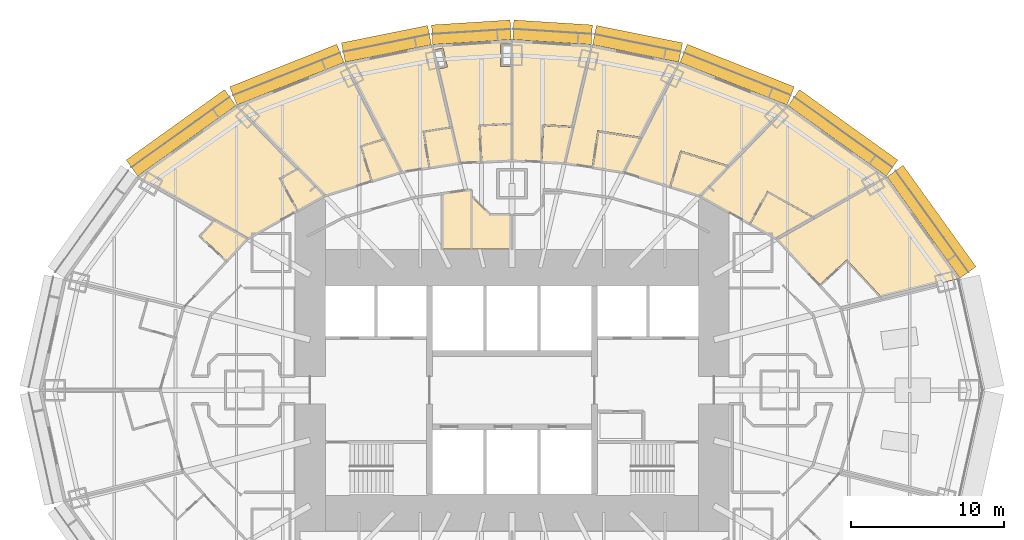
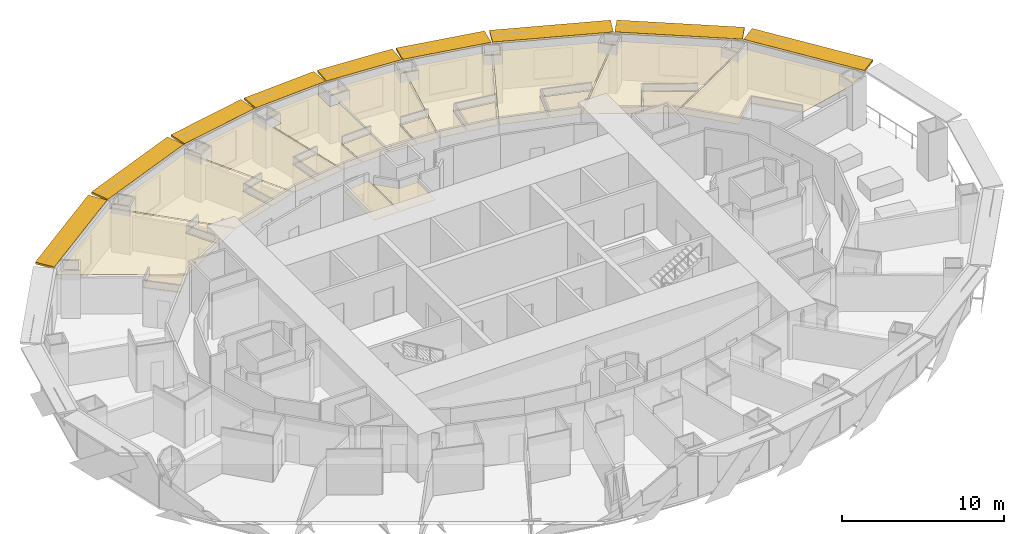
# One storey, part 17 of 17: 20 coverings, 9 shading devices.
"""IFC4 building model written with IfcOpenShell, lengths in metres."""

import ifcopenshell
import ifcopenshell.guid

model = None  # the IFC model being written
_history = None  # IfcOwnerHistory: only IFC2X3 demands one
_inside = {}  # id of a spatial element -> (the spatial element, [elements in it])
_under = {}  # id of a project, library or spatial element -> (it, [spatial elements below it])
_declared = {}  # id of a project -> (the project, [libraries it declares])
_typed = {}  # id of a type object -> (the type object, [elements of that type])
_made_of = {}  # id of a material, layer set ... -> (it, [elements and type objects made of it])


def new_model(schema):
    """Start an empty IFC model of exactly this schema.

    Asked for "IFC4X3", IfcOpenShell would pick the latest addendum, in which some entities
    have other attributes; the version numbers below select the first issue.
    IFC2X3 requires an IfcOwnerHistory on every rooted entity: one is made here for all.
    """
    global model, _history
    if schema == "IFC4X3":
        model = ifcopenshell.file(schema_version=(4, 3, 0, 0))
    else:
        model = ifcopenshell.file(schema=schema)
    _inside.clear()
    _under.clear()
    _declared.clear()
    _typed.clear()
    _made_of.clear()
    _history = None
    if model.schema == "IFC2X3":
        org = make("IfcOrganization", Name="unknown")
        user = make(
            "IfcPersonAndOrganization",
            ThePerson=make("IfcPerson", FamilyName="unknown"),
            TheOrganization=org,
        )
        app = make(
            "IfcApplication",
            ApplicationDeveloper=org,
            Version="unknown",
            ApplicationFullName="unknown",
            ApplicationIdentifier="unknown",
        )
        _history = make(
            "IfcOwnerHistory",
            OwningUser=user,
            OwningApplication=app,
            ChangeAction="ADDED",
            CreationDate=0,
        )
    return model


def make(cls, **values):
    """One entity of the class cls with the attributes given. An attribute that is None is left unset."""
    return model.create_entity(
        cls, **{name: value for name, value in values.items() if value is not None}
    )


def rooted(cls, **values):
    """An entity with a GlobalId (a new one), such as an element, a storey or a relation."""
    return make(cls, GlobalId=ifcopenshell.guid.new(), OwnerHistory=_history, **values)


def si_unit(unit_type, name, prefix=None):
    """IfcSIUnit, for example si_unit("LENGTHUNIT", "METRE", prefix="MILLI")."""
    return make("IfcSIUnit", UnitType=unit_type, Prefix=prefix, Name=name)


def assignment(units):
    """IfcUnitAssignment: the units of a project."""
    return None if units is None else make("IfcUnitAssignment", Units=units)


def point(xyz):
    """IfcCartesianPoint."""
    return None if xyz is None else make("IfcCartesianPoint", Coordinates=xyz)


def direction(xyz):
    """IfcDirection."""
    return None if xyz is None else make("IfcDirection", DirectionRatios=xyz)


def frame(location, z_axis=None, x_axis=None):
    """IfcAxis2Placement3D, a coordinate frame: its origin and axes. An axis left out is left unset."""
    return make(
        "IfcAxis2Placement3D",
        Location=point(location),
        Axis=direction(z_axis),
        RefDirection=direction(x_axis),
    )


def frame_2d(location, x_axis=None):
    """IfcAxis2Placement2D, a coordinate frame in the plane: its origin and x axis."""
    return make(
        "IfcAxis2Placement2D", Location=point(location), RefDirection=direction(x_axis)
    )


def origin():
    """The frame at (0, 0, 0) with its axes left unset."""
    return frame((0.0, 0.0, 0.0))


def origin_2d():
    """The frame at (0, 0) in the plane with its x axis left unset."""
    return frame_2d((0.0, 0.0))


def place(relative_to, where):
    """IfcLocalPlacement: puts the frame where relative to a parent placement (None: the world)."""
    return make(
        "IfcLocalPlacement", PlacementRelTo=relative_to, RelativePlacement=where
    )


def context(
    kind, dimensions, precision=None, world=None, true_north=None, identifier=None
):
    """IfcGeometricRepresentationContext, for example the 3D "Model" context."""
    return make(
        "IfcGeometricRepresentationContext",
        ContextIdentifier=identifier,
        ContextType=kind,
        CoordinateSpaceDimension=dimensions,
        Precision=precision,
        WorldCoordinateSystem=world,
        TrueNorth=true_north,
    )


def subcontext(parent, identifier, kind, view, scale=None):
    """IfcGeometricRepresentationSubContext, for example "Body" below "Model"."""
    return make(
        "IfcGeometricRepresentationSubContext",
        ContextIdentifier=identifier,
        ContextType=kind,
        ParentContext=parent,
        TargetScale=scale,
        TargetView=view,
    )


def project(units=None, contexts=None):
    """IfcProject with its units and contexts."""
    return rooted(
        "IfcProject",
        Name="project",
        RepresentationContexts=contexts,
        UnitsInContext=assignment(units),
    )


def spatial(cls, under=None, at=None, **own):
    """A site, building, storey or space (cls), placed at a placement, below another one or the project."""
    s = rooted(cls, ObjectPlacement=at, **own)
    if under is not None:
        _under.setdefault(under.id(), (under, []))[1].append(s)
    return s


def polyline(points):
    """IfcPolyline through the points."""
    return make("IfcPolyline", Points=[point(p) for p in points])


def profile(cls, at=None, kind="AREA", **sizes):
    """A parametric profile (cls). Its sizes go by their IFC names, for example OverallWidth=200.0."""
    return make(cls, ProfileType=kind, Position=at, **sizes)


def rectangle(**sizes):
    """IfcRectangleProfileDef."""
    return profile("IfcRectangleProfileDef", **sizes)


def outline(outer, holes=None, kind="AREA"):
    """IfcArbitraryClosedProfileDef: a profile drawn as a closed curve; with holes, ...WithVoids."""
    if holes is None:
        return make("IfcArbitraryClosedProfileDef", ProfileType=kind, OuterCurve=outer)
    return make(
        "IfcArbitraryProfileDefWithVoids",
        ProfileType=kind,
        OuterCurve=outer,
        InnerCurves=holes,
    )


def extrude(swept, where, along, depth):
    """IfcExtrudedAreaSolid: the profile swept, set in the frame where, extruded along a direction by depth."""
    return make(
        "IfcExtrudedAreaSolid",
        SweptArea=swept,
        Position=where,
        ExtrudedDirection=direction(along),
        Depth=depth,
    )


def shape(context_of_items, identifier, shape_type, items):
    """IfcShapeRepresentation: the items that make up one representation, for example the "Body"."""
    return make(
        "IfcShapeRepresentation",
        ContextOfItems=context_of_items,
        RepresentationIdentifier=identifier,
        RepresentationType=shape_type,
        Items=items,
    )


def material(Name=None, Category=None):
    """IfcMaterial."""
    return make("IfcMaterial", Name=Name, Category=Category)


def layer(
    of_material, thickness, ventilated=None, Name=None, Category=None, Priority=None
):
    """IfcMaterialLayer: one layer of a wall or slab, of a material (None: an air gap)."""
    return make(
        "IfcMaterialLayer",
        Material=of_material,
        LayerThickness=thickness,
        IsVentilated=ventilated,
        Name=Name,
        Category=Category,
        Priority=Priority,
    )


def layer_set(layers, Name=None):
    """IfcMaterialLayerSet."""
    return make("IfcMaterialLayerSet", MaterialLayers=layers, LayerSetName=Name)


def made_of(thing, what):
    """Note that an element or type object is made of a material, layer set ...; save() writes the relation."""
    if what is not None:
        _made_of.setdefault(what.id(), (what, []))[1].append(thing)
    return thing


def type_object(cls, material=None, **own):
    """A type object (cls), such as IfcWallType, which elements share."""
    return made_of(rooted(cls, **own), material)


def element(
    cls,
    number,
    at=None,
    inside=None,
    cuts=None,
    type_object=None,
    material=None,
    context=None,
    identifier="Body",
    shape_type=None,
    held_by="IfcProductDefinitionShape",
    body=None,
    shapes=None,
    **own,
):
    """One element of the class cls, such as IfcWall. Its Tag is "e" and its number.

    at: its placement. inside: the storey or other place that contains it. cuts: it is an
    opening in that element (IfcRelVoidsElement). A single representation is given by context,
    identifier, shape_type and body (its items); several are given by shapes. held_by: the class
    of the entity that holds the representations. save() writes the other relations.
    """
    e = rooted(cls, Tag="e%d" % number, ObjectPlacement=at, **own)
    if body is not None:
        shapes = [shape(context, identifier, shape_type, body)]
    if shapes is not None:
        e.Representation = make(held_by, Representations=shapes)
    if inside is not None:
        _inside.setdefault(inside.id(), (inside, []))[1].append(e)
    if cuts is not None:
        rooted(
            "IfcRelVoidsElement", RelatingBuildingElement=cuts, RelatedOpeningElement=e
        )
    if type_object is not None:
        _typed.setdefault(type_object.id(), (type_object, []))[1].append(e)
    return made_of(e, material)


def aggregate(whole, parts):
    """IfcRelAggregates: a whole, such as a stair, and the parts it consists of."""
    return rooted("IfcRelAggregates", RelatingObject=whole, RelatedObjects=parts)


def save(model, path):
    """Write the relations noted so far, then the file.

    IfcRelAggregates (storeys below a building ...), IfcRelContainedInSpatialStructure (elements
    in a storey), IfcRelDefinesByType, IfcRelAssociatesMaterial and IfcRelDeclares: one each for
    every whole, place, type object, material and project.
    """
    for whole, parts in _under.values():
        aggregate(whole, parts)
    for where, things in _inside.values():
        rooted(
            "IfcRelContainedInSpatialStructure",
            RelatedElements=things,
            RelatingStructure=where,
        )
    for kind, things in _typed.values():
        rooted("IfcRelDefinesByType", RelatedObjects=things, RelatingType=kind)
    for what, things in _made_of.values():
        rooted("IfcRelAssociatesMaterial", RelatedObjects=things, RelatingMaterial=what)
    for by, libraries in _declared.values():
        rooted("IfcRelDeclares", RelatingContext=by, RelatedDefinitions=libraries)
    model.write(path)


model = new_model("IFC4")

# Units and contexts
model_context = context("Model", 3, precision=1e-05, world=origin(), true_north=direction((0.0, 1.0)))
body_context = subcontext(model_context, "Body", "Model", "MODEL_VIEW")
ifc_project = project(units=[si_unit("LENGTHUNIT", "METRE"), si_unit("AREAUNIT", "SQUARE_METRE"), si_unit("VOLUMEUNIT", "CUBIC_METRE"), si_unit("PLANEANGLEUNIT", "RADIAN"), si_unit("MASSUNIT", "GRAM", prefix="KILO")], contexts=[model_context])

# Site, building, storey
site_placement = place(None, origin())
site = spatial("IfcSite", under=ifc_project, at=site_placement, CompositionType="ELEMENT")
building_placement = place(site_placement, origin())
building = spatial("IfcBuilding", under=site, at=building_placement, Name="Lantaw Convention Tower", CompositionType="ELEMENT")
storey_placement = place(building_placement, frame((0.0, 0.0, 69.39990234375)))
storey = spatial("IfcBuildingStorey", under=building, at=storey_placement, Name="L15", CompositionType="ELEMENT", Elevation=69.39990234375)

# Coverings
ifc_material = material(Name="Gypsum board on steel suspension grid", Category="steel")
ifc_layer = layer(ifc_material, 0.02001953125)
ifc_layer_set = layer_set([ifc_layer], Name="Suspended ceiling")
covering_type = type_object("IfcCoveringType", Name="Suspended ceiling", PredefinedType="CEILING", material=ifc_layer_set)
covering_1_placement = place(storey_placement, frame((0.0, 0.0, 2.85009765625)))
element("IfcCovering", 1, at=covering_1_placement, inside=storey, type_object=covering_type, Name="Accessible WC ceiling", PredefinedType="CEILING", context=body_context, shape_type="SweptSolid", body=[
    extrude(outline(polyline([(-2.610107421875, 9.239990234375), (-0.114990234375, 9.239990234375), (-0.114990234375, 11.43505859375), (-1.441162109375, 11.43505859375), (-2.06494140625, 12.058837890625), (-2.06494140625, 12.071044921875), (-2.610107421875, 12.615234375), (-2.610107421875, 9.239990234375)])), origin(), (0.0, 0.0, 1.0), 0.02001953125),
])
covering_2_placement = place(storey_placement, frame((0.0, 0.0, 2.85009765625)))
element("IfcCovering", 2, at=covering_2_placement, inside=storey, type_object=covering_type, Name="Staff WC ceiling", PredefinedType="CEILING", context=body_context, shape_type="SweptSolid", body=[
    extrude(outline(polyline([(-2.68994140625, 13.040283203125), (-3.0126953125, 13.02587890625), (-4.510009765625, 12.8125), (-4.510009765625, 9.239990234375), (-2.68994140625, 9.239990234375), (-2.68994140625, 13.040283203125)])), origin(), (0.0, 0.0, 1.0), 0.02001953125),
])
covering_3_placement = place(storey_placement, frame((0.0, 0.0, 2.85009765625)))
element("IfcCovering", 3, at=covering_3_placement, inside=storey, type_object=covering_type, Name="Guest room ceiling", PredefinedType="CEILING", context=body_context, shape_type="SweptSolid", body=[
    extrude(outline(polyline([(24.423095703125, 13.8564453125), (17.36279296875, 9.875244140625), (20.120361328125, 6.890625), (21.891845703125, 8.527587890625), (24.17431640625, 6.057373046875), (29.155029296875, 7.2783203125), (24.423095703125, 13.8564453125)])), origin(), (0.0, 0.0, 1.0), 0.02001953125),
])
covering_4_placement = place(storey_placement, frame((0.0, 0.0, 2.85009765625)))
element("IfcCovering", 4, at=covering_4_placement, inside=storey, type_object=covering_type, Name="Guest bathroom ceiling", PredefinedType="CEILING", context=body_context, shape_type="SweptSolid", body=[
    extrude(outline(polyline([(17.298828125, 9.93115234375), (19.65234375, 11.276123046875), (16.734619140625, 12.900634765625), (15.60595703125, 10.87353515625), (17.298828125, 9.93115234375)])), origin(), (0.0, 0.0, 1.0), 0.02001953125),
])
covering_5_placement = place(storey_placement, frame((0.0, 0.0, 2.85009765625)))
element("IfcCovering", 5, at=covering_5_placement, inside=storey, type_object=covering_type, Name="Guest room ceiling", PredefinedType="CEILING", context=body_context, shape_type="SweptSolid", body=[
    extrude(outline(polyline([(12.322265625, 12.701904296875), (15.5361328125, 10.91259765625), (16.70361328125, 13.00927734375), (19.75, 11.313232421875), (24.3603515625, 13.912841796875), (17.97509765625, 18.4892578125), (12.322265625, 12.701904296875)])), origin(), (0.0, 0.0, 1.0), 0.02001953125),
])
covering_6_placement = place(storey_placement, frame((0.0, 0.0, 2.85009765625)))
element("IfcCovering", 6, at=covering_6_placement, inside=storey, type_object=covering_type, Name="Guest bathroom ceiling", PredefinedType="CEILING", context=body_context, shape_type="SweptSolid", body=[
    extrude(outline(polyline([(12.245361328125, 12.738037109375), (14.052001953125, 14.60888671875), (11.0791015625, 15.525146484375), (10.395751953125, 13.30810546875), (12.245361328125, 12.738037109375)])), origin(), (0.0, 0.0, 1.0), 0.02001953125),
])
covering_7_placement = place(storey_placement, frame((0.0, 0.0, 2.85009765625)))
element("IfcCovering", 7, at=covering_7_placement, inside=storey, type_object=covering_type, Name="Guest room ceiling", PredefinedType="CEILING", context=body_context, shape_type="SweptSolid", body=[
    extrude(outline(polyline([(10.930908203125, 21.294921875), (7.310302734375, 14.2587890625), (10.307861328125, 13.3349609375), (11.01806640625, 15.64013671875), (14.140380859375, 14.677978515625), (17.89990234375, 18.526611328125), (10.930908203125, 21.294921875)])), origin(), (0.0, 0.0, 1.0), 0.02001953125),
])
covering_8_placement = place(storey_placement, frame((0.0, 0.0, 2.85009765625)))
element("IfcCovering", 8, at=covering_8_placement, inside=storey, type_object=covering_type, Name="Guest bathroom ceiling", PredefinedType="CEILING", context=body_context, shape_type="SweptSolid", body=[
    extrude(outline(polyline([(7.23046875, 14.278564453125), (8.338623046875, 16.45361328125), (5.6806640625, 16.868896484375), (5.322509765625, 14.57666015625), (7.23046875, 14.278564453125)])), origin(), (0.0, 0.0, 1.0), 0.02001953125),
])
covering_9_placement = place(storey_placement, frame((0.0, 0.0, 2.85009765625)))
element("IfcCovering", 9, at=covering_9_placement, inside=storey, type_object=covering_type, Name="Guest room ceiling", PredefinedType="CEILING", context=body_context, shape_type="SweptSolid", body=[
    extrude(outline(polyline([(5.240966796875, 22.448974609375), (3.47314453125, 14.86572265625), (5.231689453125, 14.5908203125), (5.60400390625, 16.97412109375), (8.393310546875, 16.538330078125), (10.85205078125, 21.31689453125), (5.240966796875, 22.448974609375)])), origin(), (0.0, 0.0, 1.0), 0.02001953125),
])
covering_10_placement = place(storey_placement, frame((0.0, 0.0, 2.85009765625)))
element("IfcCovering", 10, at=covering_10_placement, inside=storey, type_object=covering_type, Name="Guest bathroom ceiling", PredefinedType="CEILING", context=body_context, shape_type="SweptSolid", body=[
    extrude(outline(polyline([(3.39306640625, 14.87451171875), (3.92333984375, 17.17138671875), (2.081298828125, 17.26123046875), (1.968017578125, 14.94384765625), (3.39306640625, 14.87451171875)])), origin(), (0.0, 0.0, 1.0), 0.02001953125),
])
covering_11_placement = place(storey_placement, frame((0.0, 0.0, 2.85009765625)))
element("IfcCovering", 11, at=covering_11_placement, inside=storey, type_object=covering_type, Name="Guest room ceiling", PredefinedType="CEILING", context=body_context, shape_type="SweptSolid", body=[
    extrude(outline(polyline([(0.0400390625, 22.781982421875), (0.0400390625, 15.0380859375), (1.876220703125, 14.948486328125), (1.993896484375, 17.357666015625), (3.94970703125, 17.26220703125), (5.1611328125, 22.458984375), (0.0400390625, 22.781982421875)])), origin(), (0.0, 0.0, 1.0), 0.02001953125),
])
covering_12_placement = place(storey_placement, frame((0.0, 0.0, 2.85009765625)))
element("IfcCovering", 12, at=covering_12_placement, inside=storey, type_object=covering_type, Name="Guest bathroom ceiling", PredefinedType="CEILING", context=body_context, shape_type="SweptSolid", body=[
    extrude(outline(polyline([(-0.0400390625, 15.0380859375), (-0.0400390625, 17.36083984375), (-2.07275390625, 17.26171875), (-1.959716796875, 14.9443359375), (-0.0400390625, 15.0380859375)])), origin(), (0.0, 0.0, 1.0), 0.02001953125),
])
covering_13_placement = place(storey_placement, frame((0.0, 0.0, 2.85009765625)))
element("IfcCovering", 13, at=covering_13_placement, inside=storey, type_object=covering_type, Name="Guest room ceiling", PredefinedType="CEILING", context=body_context, shape_type="SweptSolid", body=[
    extrude(outline(polyline([(-4.81640625, 20.98046875), (-3.39306640625, 14.87451171875), (-2.03955078125, 14.9404296875), (-2.156494140625, 17.337646484375), (-0.0400390625, 17.44091796875), (-0.0400390625, 21.159912109375), (-0.739990234375, 21.159912109375), (-0.739990234375, 22.639892578125), (-0.0400390625, 22.639892578125), (-0.0400390625, 22.781982421875), (-5.1611328125, 22.458984375), (-5.10693359375, 22.22705078125), (-4.506591796875, 22.365478515625), (-4.21875, 21.118408203125), (-4.81640625, 20.98046875)])), origin(), (0.0, 0.0, 1.0), 0.02001953125),
])
covering_14_placement = place(storey_placement, frame((0.0, 0.0, 2.85009765625)))
element("IfcCovering", 14, at=covering_14_placement, inside=storey, type_object=covering_type, Name="Guest bathroom ceiling", PredefinedType="CEILING", context=body_context, shape_type="SweptSolid", body=[
    extrude(outline(polyline([(-3.47314453125, 14.86572265625), (-3.996337890625, 17.132080078125), (-5.725341796875, 16.862060546875), (-5.3671875, 14.56982421875), (-3.47314453125, 14.86572265625)])), origin(), (0.0, 0.0, 1.0), 0.02001953125),
])
covering_15_placement = place(storey_placement, frame((0.0, 0.0, 2.85009765625)))
element("IfcCovering", 15, at=covering_15_placement, inside=storey, type_object=covering_type, Name="Guest room ceiling", PredefinedType="CEILING", context=body_context, shape_type="SweptSolid", body=[
    extrude(outline(polyline([(-7.23046875, 14.278564453125), (-5.446044921875, 14.557373046875), (-5.816650390625, 16.9287109375), (-4.01953125, 17.20947265625), (-5.240966796875, 22.448974609375), (-10.85205078125, 21.31689453125), (-7.23046875, 14.278564453125)])), origin(), (0.0, 0.0, 1.0), 0.02001953125),
])
covering_16_placement = place(storey_placement, frame((0.0, 0.0, 2.85009765625)))
element("IfcCovering", 16, at=covering_16_placement, inside=storey, type_object=covering_type, Name="Guest bathroom ceiling", PredefinedType="CEILING", context=body_context, shape_type="SweptSolid", body=[
    extrude(outline(polyline([(-7.31005859375, 14.2587890625), (-8.379150390625, 16.357177734375), (-9.821044921875, 15.912841796875), (-9.1376953125, 13.695556640625), (-7.31005859375, 14.2587890625)])), origin(), (0.0, 0.0, 1.0), 0.02001953125),
])
covering_17_placement = place(storey_placement, frame((0.0, 0.0, 2.85009765625)))
element("IfcCovering", 17, at=covering_17_placement, inside=storey, type_object=covering_type, Name="Guest room ceiling", PredefinedType="CEILING", context=body_context, shape_type="SweptSolid", body=[
    extrude(outline(polyline([(-12.24560546875, 12.738037109375), (-9.214111328125, 13.672119140625), (-9.921142578125, 15.965576171875), (-8.42578125, 16.426513671875), (-10.930908203125, 21.294921875), (-17.89990234375, 18.526611328125), (-12.24560546875, 12.738037109375)])), origin(), (0.0, 0.0, 1.0), 0.02001953125),
])
covering_18_placement = place(storey_placement, frame((0.0, 0.0, 2.85009765625)))
element("IfcCovering", 18, at=covering_18_placement, inside=storey, type_object=covering_type, Name="Guest bathroom ceiling", PredefinedType="CEILING", context=body_context, shape_type="SweptSolid", body=[
    extrude(outline(polyline([(-12.322021484375, 12.7021484375), (-13.989501953125, 14.428955078125), (-15.117431640625, 13.801025390625), (-13.989013671875, 11.77392578125), (-12.322021484375, 12.7021484375)])), origin(), (0.0, 0.0, 1.0), 0.02001953125),
])
covering_19_placement = place(storey_placement, frame((0.0, 0.0, 2.85009765625)))
element("IfcCovering", 19, at=covering_19_placement, inside=storey, type_object=covering_type, Name="Guest room ceiling", PredefinedType="CEILING", context=body_context, shape_type="SweptSolid", body=[
    extrude(outline(polyline([(-17.298828125, 9.930908203125), (-14.058837890625, 11.735107421875), (-15.226318359375, 13.83203125), (-14.06005859375, 14.481201171875), (-17.97509765625, 18.4892578125), (-24.3603515625, 13.912841796875), (-17.298828125, 9.930908203125)])), origin(), (0.0, 0.0, 1.0), 0.02001953125),
])
covering_20_placement = place(storey_placement, frame((0.0, 0.0, 2.85009765625)))
element("IfcCovering", 20, at=covering_20_placement, inside=storey, type_object=covering_type, Name="Guest bathroom ceiling", PredefinedType="CEILING", context=body_context, shape_type="SweptSolid", body=[
    extrude(outline(polyline([(-17.362548828125, 9.87548828125), (-19.4296875, 11.056640625), (-20.362548828125, 10.047119140625), (-18.658447265625, 8.47265625), (-17.362548828125, 9.87548828125)])), origin(), (0.0, 0.0, 1.0), 0.02001953125),
])

# Shading devices
shading_device_1_placement = place(storey_placement, frame((27.425048828125, 11.005859375, 3.30517578125), z_axis=(0.0, 0.0, 1.0), x_axis=(-0.583951250436, 0.811788726895, 0.0)))
element("IfcShadingDevice", 21, at=shading_device_1_placement, inside=storey, Name="SUNSHADE blade", ObjectType="SUNSHADE", PredefinedType="USERDEFINED", context=body_context, shape_type="SweptSolid", body=[
    extrude(rectangle(XDim=8.162841796875, YDim=1.284912109375, at=origin_2d()), origin(), (0.0, 0.0, 1.0), 0.14990234375),
])
shading_device_2_placement = place(storey_placement, frame((21.63232421875, 16.818603515625, 3.30517578125), z_axis=(0.0, 0.0, 1.0), x_axis=(-0.812803733199, 0.5825376308, 0.0)))
element("IfcShadingDevice", 22, at=shading_device_2_placement, inside=storey, Name="SUNSHADE blade", ObjectType="SUNSHADE", PredefinedType="USERDEFINED", context=body_context, shape_type="SweptSolid", body=[
    extrude(rectangle(XDim=7.9033203125, YDim=1.284912109375, at=origin_2d()), origin(), (0.0, 0.0, 1.0), 0.14990234375),
])
shading_device_3_placement = place(storey_placement, frame((14.71435546875, 20.623291015625, 3.30517578125), z_axis=(0.0, 0.0, 1.0), x_axis=(-0.929361152748, 0.369171840425, 0.0)))
element("IfcShadingDevice", 23, at=shading_device_3_placement, inside=storey, Name="SUNSHADE blade", ObjectType="SUNSHADE", PredefinedType="USERDEFINED", context=body_context, shape_type="SweptSolid", body=[
    extrude(rectangle(XDim=7.5322265625, YDim=1.284912109375, at=origin_2d()), origin(), (0.0, 0.0, 1.0), 0.14990234375),
])
shading_device_4_placement = place(storey_placement, frame((8.2080078125, 22.638427734375, 3.30517578125), z_axis=(0.0, 0.0, 1.0), x_axis=(-0.980244604501, 0.197789067813, 0.0)))
element("IfcShadingDevice", 24, at=shading_device_4_placement, inside=storey, Name="SUNSHADE blade", ObjectType="SUNSHADE", PredefinedType="USERDEFINED", context=body_context, shape_type="SweptSolid", body=[
    extrude(rectangle(XDim=5.74365234375, YDim=1.284912109375, at=origin_2d()), origin(), (0.0, 0.0, 1.0), 0.14990234375),
])
for number, where, z_axis, x_axis, name in (
    (25, (2.65185546875, 23.391357421875, 3.30517578125), (0.0, 0.0, 1.0), (-0.998016153807, 0.062958373078, 0.0), "SUNSHADE blade"),
    (26, (-2.65185546875, 23.391357421875, 3.30517578125), (0.0, 0.0, 1.0), (-0.998016153807, -0.062958373078, 0.0), "SUNSHADE blade"),
):
    element("IfcShadingDevice", number, at=place(storey_placement, frame(where, z_axis=z_axis, x_axis=x_axis)), inside=storey, Name=name, ObjectType="SUNSHADE", PredefinedType="USERDEFINED", context=body_context, shape_type="SweptSolid", body=[
        extrude(rectangle(XDim=5.14404296875, YDim=1.284912109375, at=origin_2d()), origin(), (0.0, 0.0, 1.0), 0.14990234375),
    ])
shading_device_5_placement = place(storey_placement, frame((-8.2080078125, 22.638427734375, 3.30517578125), z_axis=(0.0, 0.0, 1.0), x_axis=(-0.980244604501, -0.197789067813, 0.0)))
element("IfcShadingDevice", 27, at=shading_device_5_placement, inside=storey, Name="SUNSHADE blade", ObjectType="SUNSHADE", PredefinedType="USERDEFINED", context=body_context, shape_type="SweptSolid", body=[
    extrude(rectangle(XDim=5.74365234375, YDim=1.284912109375, at=origin_2d()), origin(), (0.0, 0.0, 1.0), 0.14990234375),
])
shading_device_6_placement = place(storey_placement, frame((-14.71435546875, 20.623291015625, 3.30517578125), z_axis=(0.0, 0.0, 1.0), x_axis=(-0.929361152748, -0.369171840425, 0.0)))
element("IfcShadingDevice", 28, at=shading_device_6_placement, inside=storey, Name="SUNSHADE blade", ObjectType="SUNSHADE", PredefinedType="USERDEFINED", context=body_context, shape_type="SweptSolid", body=[
    extrude(rectangle(XDim=7.5322265625, YDim=1.284912109375, at=origin_2d()), origin(), (0.0, 0.0, 1.0), 0.14990234375),
])
shading_device_7_placement = place(storey_placement, frame((-21.63232421875, 16.818603515625, 3.30517578125), z_axis=(0.0, 0.0, 1.0), x_axis=(-0.812803733199, -0.5825376308, 0.0)))
element("IfcShadingDevice", 29, at=shading_device_7_placement, inside=storey, Name="SUNSHADE blade", ObjectType="SUNSHADE", PredefinedType="USERDEFINED", context=body_context, shape_type="SweptSolid", body=[
    extrude(rectangle(XDim=7.9033203125, YDim=1.284912109375, at=origin_2d()), origin(), (0.0, 0.0, 1.0), 0.14990234375),
])

save(model, "model.ifc")
